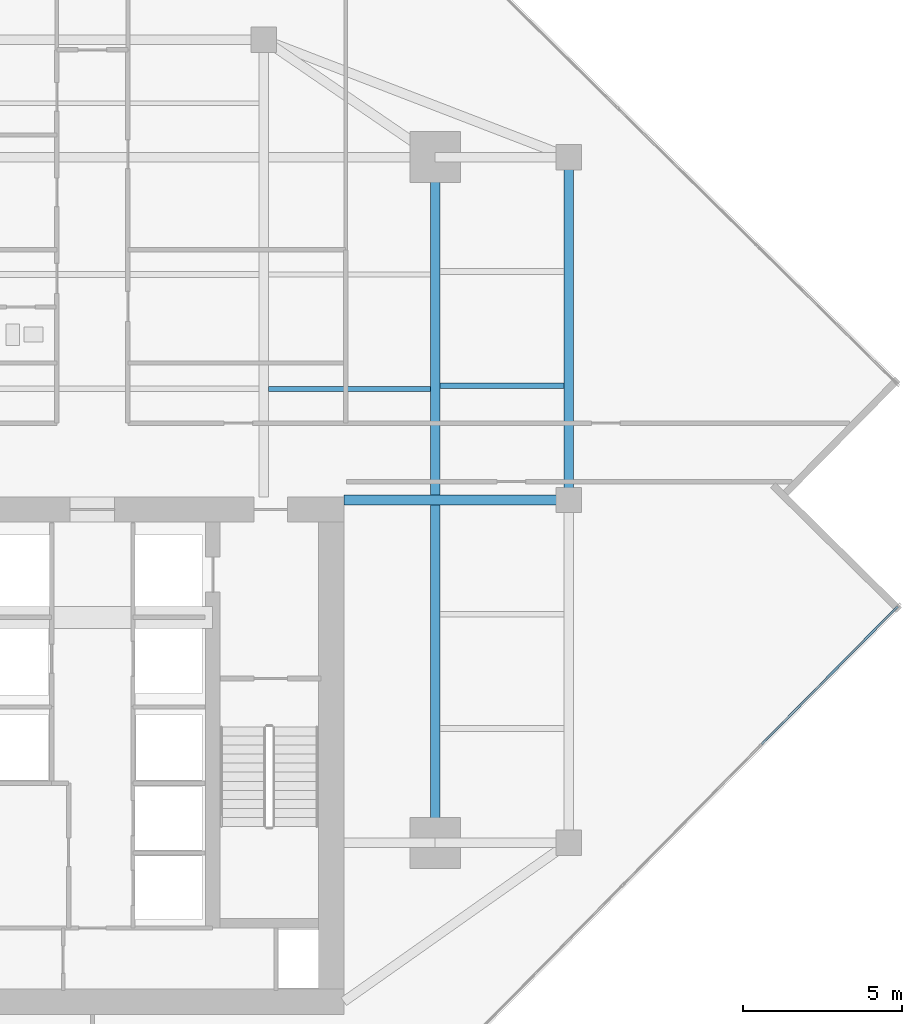
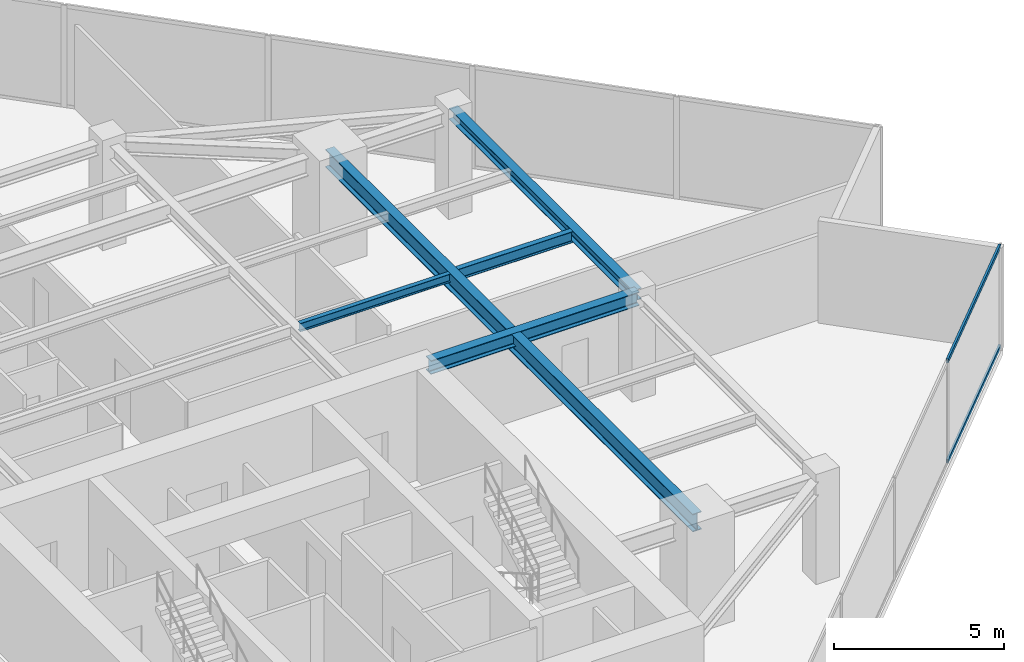
# One storey, part 11 of 24: 5 beams, 2 members, 1 element without a shape of its own.
"""IFC4 building model written with IfcOpenShell, lengths in metres."""

from ifc_helpers import new_model, si_unit, direction, frame, origin, origin_2d, place, context, subcontext, project, spatial, hollow_rectangle, i_section, extrude, source, transform, mapped, material, material_profile, profile_set, type_object, type_shapes, element, aggregate, save


model = new_model("IFC4")

# Units and contexts
model_context = context("Model", 3, precision=1e-05, world=origin(), true_north=direction((0.0, 1.0)))
body_context = subcontext(model_context, "Body", "Model", "MODEL_VIEW")
ifc_project = project(units=[si_unit("LENGTHUNIT", "METRE"), si_unit("AREAUNIT", "SQUARE_METRE"), si_unit("VOLUMEUNIT", "CUBIC_METRE"), si_unit("PLANEANGLEUNIT", "RADIAN"), si_unit("MASSUNIT", "GRAM", prefix="KILO")], contexts=[model_context])

# Site, building, storey
site_placement = place(None, origin())
site = spatial("IfcSite", under=ifc_project, at=site_placement, CompositionType="ELEMENT")
building_placement = place(site_placement, origin())
building = spatial("IfcBuilding", under=site, at=building_placement, Name="Krantzveldt Concourse Tower", CompositionType="ELEMENT")
storey_placement = place(building_placement, frame((0.0, 0.0, 231.0)))
storey = spatial("IfcBuildingStorey", under=building, at=storey_placement, Name="L56", CompositionType="ELEMENT", Elevation=231.0)

# Beams
ifc_material_1 = material(Name="Steel S355JR", Category="steel")
ifc_material_profile_1 = material_profile(ifc_material_1, i_section(OverallWidth=0.300048828125, OverallDepth=0.639892578125, WebThickness=0.013427734375, FlangeThickness=0.02587890625, FilletRadius=0.027099609375, at=origin_2d()), Name="Steel S355JR", Category="steel")
ifc_profile_set_1 = profile_set([ifc_material_profile_1], Name="Steel S355JR - HEA 650")
beam_type_1 = type_object("IfcBeamType", Name="BM-B-HEA650", PredefinedType="BEAM", material=ifc_profile_set_1)
shared_shape_1 = source(origin(), body_context, "Body", "SweptSolid", [
    extrude(i_section(OverallWidth=0.300048828125, OverallDepth=0.639892578125, WebThickness=0.013427734375, FlangeThickness=0.02587890625, FilletRadius=0.027099609375, at=origin_2d()), origin(), (0.0, 0.0, 1.0), 21.60009765625),
])
type_shapes(beam_type_1, [shared_shape_1])
beam_1_placement = place(storey_placement, frame((46.800048828125, 15.89990234375, 3.35009765625), z_axis=(0.0, 1.0, 0.0), x_axis=(-1.0, 0.0, 0.0)))
element("IfcBeam", 1, at=beam_1_placement, inside=storey, type_object=beam_type_1, Name="L56 Tower Girder BG-ME", PredefinedType="BEAM", context=body_context, shape_type="MappedRepresentation", body=[
    mapped(shared_shape_1, transform((0.0, 0.0, 0.0), x_axis=(1.0, 0.0, 0.0), y_axis=(0.0, 1.0, 0.0), z_axis=(0.0, 0.0, 1.0), scale=1.0)),
])
ifc_material_profile_2 = material_profile(ifc_material_1, i_section(OverallWidth=0.300048828125, OverallDepth=0.389892578125, WebThickness=0.010986328125, FlangeThickness=0.01904296875, FilletRadius=0.027099609375, at=origin_2d()), Name="Steel S355JR", Category="steel")
ifc_profile_set_2 = profile_set([ifc_material_profile_2], Name="Steel S355JR - HEA 400")
beam_type_2 = type_object("IfcBeamType", Name="BM-SP-HEA400", PredefinedType="SPANDREL", material=ifc_profile_set_2)
shared_shape_2 = source(origin(), body_context, "Body", "SweptSolid", [
    extrude(i_section(OverallWidth=0.300048828125, OverallDepth=0.389892578125, WebThickness=0.010986328125, FlangeThickness=0.01904296875, FilletRadius=0.027099609375, at=origin_2d()), origin(), (0.0, 0.0, 1.0), 10.800048828125),
])
type_shapes(beam_type_2, [shared_shape_2])
beam_2_placement = place(storey_placement, frame((51.0, 37.5, 3.47509765625), z_axis=(0.0, -1.0, 0.0), x_axis=(1.0, 0.0, 0.0)))
element("IfcBeam", 2, at=beam_2_placement, inside=storey, type_object=beam_type_2, Name="L56 Tower Girder SP-R06", PredefinedType="SPANDREL", context=body_context, shape_type="MappedRepresentation", body=[
    mapped(shared_shape_2, transform((0.0, 0.0, 0.0), x_axis=(1.0, 0.0, 0.0), y_axis=(0.0, 1.0, 0.0), z_axis=(0.0, 0.0, 1.0), scale=1.0)),
])
ifc_material_profile_3 = material_profile(ifc_material_1, i_section(OverallWidth=0.300048828125, OverallDepth=0.489990234375, WebThickness=0.011962890625, FlangeThickness=0.02294921875, FilletRadius=0.027099609375, at=origin_2d()), Name="Steel S355JR", Category="steel")
ifc_profile_set_3 = profile_set([ifc_material_profile_3], Name="Steel S355JR - HEA 500")
beam_type_3 = type_object("IfcBeamType", Name="BM-B-HEA500", PredefinedType="BEAM", material=ifc_profile_set_3)
shared_shape_3 = source(origin(), body_context, "Body", "SweptSolid", [
    extrude(i_section(OverallWidth=0.300048828125, OverallDepth=0.489990234375, WebThickness=0.011962890625, FlangeThickness=0.02294921875, FilletRadius=0.027099609375, at=origin_2d()), origin(), (0.0, 0.0, 1.0), 7.080078125),
])
type_shapes(beam_type_3, [shared_shape_3])
beam_3_placement = place(storey_placement, frame((43.919921875, 26.699951171875, 3.425048828125), z_axis=(1.0, 0.0, 0.0), x_axis=(0.0, 1.0, 0.0)))
element("IfcBeam", 3, at=beam_3_placement, inside=storey, type_object=beam_type_3, Name="L56 Tower Girder BG-CE2", PredefinedType="BEAM", context=body_context, shape_type="MappedRepresentation", body=[
    mapped(shared_shape_3, transform((0.0, 0.0, 0.0), x_axis=(1.0, 0.0, 0.0), y_axis=(0.0, 1.0, 0.0), z_axis=(0.0, 0.0, 1.0), scale=1.0)),
])
ifc_material_profile_4 = material_profile(ifc_material_1, i_section(OverallWidth=0.14990234375, OverallDepth=0.300048828125, WebThickness=0.007080078125, FlangeThickness=0.0107421875, FilletRadius=0.014892578125, at=origin_2d()), Name="Steel S355JR", Category="steel")
ifc_profile_set_4 = profile_set([ifc_material_profile_4], Name="Steel S355JR - IPE 300")
beam_type_4 = type_object("IfcBeamType", Name="BM-J-IPE300", PredefinedType="JOIST", material=ifc_profile_set_4)
shared_shape_4 = source(origin(), body_context, "Body", "SweptSolid", [
    extrude(i_section(OverallWidth=0.14990234375, OverallDepth=0.300048828125, WebThickness=0.007080078125, FlangeThickness=0.0107421875, FilletRadius=0.014892578125, at=origin_2d()), origin(), (0.0, 0.0, 1.0), 5.099853515625),
])
type_shapes(beam_type_4, [shared_shape_4])
beam_4_placement = place(storey_placement, frame((41.550048828125, 30.199951171875, 3.52001953125), z_axis=(1.0, 0.0, 0.0), x_axis=(0.0, 1.0, 0.0)))
element("IfcBeam", 4, at=beam_4_placement, inside=storey, type_object=beam_type_4, Name="L56 Secondary Floor Joist JN-E1", PredefinedType="JOIST", context=body_context, shape_type="MappedRepresentation", body=[
    mapped(shared_shape_4, transform((0.0, 0.0, 0.0), x_axis=(1.0, 0.0, 0.0), y_axis=(0.0, 1.0, 0.0), z_axis=(0.0, 0.0, 1.0), scale=1.0)),
])
ifc_material_profile_5 = material_profile(ifc_material_1, i_section(OverallWidth=0.179931640625, OverallDepth=0.39990234375, WebThickness=0.008544921875, FlangeThickness=0.013427734375, FilletRadius=0.02099609375, at=origin_2d()), Name="Steel S355JR", Category="steel")
ifc_profile_set_5 = profile_set([ifc_material_profile_5], Name="Steel S355JR - IPE 400")
beam_type_5 = type_object("IfcBeamType", Name="BM-J-IPE400", PredefinedType="JOIST", material=ifc_profile_set_5)
shared_shape_5 = source(origin(), body_context, "Body", "SweptSolid", [
    extrude(i_section(OverallWidth=0.179931640625, OverallDepth=0.39990234375, WebThickness=0.008544921875, FlangeThickness=0.013427734375, FilletRadius=0.02099609375, at=origin_2d()), origin(), (0.0, 0.0, 1.0), 3.900146484375),
])
type_shapes(beam_type_5, [shared_shape_5])
beam_5_placement = place(storey_placement, frame((46.949951171875, 30.300048828125, 3.469970703125), z_axis=(1.0, 0.0, 0.0), x_axis=(0.0, 1.0, 0.0)))
element("IfcBeam", 5, at=beam_5_placement, inside=storey, type_object=beam_type_5, Name="L56 Secondary Floor Joist JE-3", PredefinedType="JOIST", context=body_context, shape_type="MappedRepresentation", body=[
    mapped(shared_shape_5, transform((0.0, 0.0, 0.0), x_axis=(1.0, 0.0, 0.0), y_axis=(0.0, 1.0, 0.0), z_axis=(0.0, 0.0, 1.0), scale=1.0)),
])

# Curtain wall, members
ifc_material_2 = material(Name="Anodised aluminium 6063-T6", Category="aluminium")
curtain_wall_type = type_object("IfcCurtainWallType", Name="CW3", PredefinedType="USERDEFINED", material=ifc_material_2)
curtain_wall_placement = place(storey_placement, origin())
curtain_wall = element("IfcCurtainWall", 6, at=curtain_wall_placement, inside=storey, type_object=curtain_wall_type, Name="CW-L56-F07", ObjectType="UNITISED CURTAIN WALL", PredefinedType="USERDEFINED")
ifc_material_profile_6 = material_profile(ifc_material_2, hollow_rectangle(XDim=0.070068359375, YDim=0.139892578125, WallThickness=0.0048828125, at=origin_2d()), Name="Anodised aluminium 6063-T6", Category="aluminium")
ifc_profile_set_6 = profile_set([ifc_material_profile_6], Name="Anodised aluminium 6063-T6 - ALU-TRAN 140x70x5")
member_type = type_object("IfcMemberType", Name="CW-TRN-150", PredefinedType="USERDEFINED", material=ifc_profile_set_6)
shared_shape_6 = source(origin(), body_context, "Body", "SweptSolid", [
    extrude(hollow_rectangle(XDim=0.070068359375, YDim=0.139892578125, WallThickness=0.0048828125, at=origin_2d()), origin(), (0.0, 0.0, 1.0), 6.094970703125),
])
type_shapes(member_type, [shared_shape_6])
member_1_placement = place(storey_placement, frame((57.083740234375, 19.006591796875, 0.034912109375), z_axis=(0.702465157511, 0.711718134154, 0.0), x_axis=(-0.711718134154, 0.702465157511, 0.0)))
member_1 = element("IfcMember", 7, at=member_1_placement, type_object=member_type, Name="CW-Z34 transom 5.1", ObjectType="TRANSOM", PredefinedType="USERDEFINED", context=body_context, shape_type="MappedRepresentation", body=[
    mapped(shared_shape_6, transform((0.0, 0.0, 0.0), x_axis=(1.0, 0.0, 0.0), y_axis=(0.0, 1.0, 0.0), z_axis=(0.0, 0.0, 1.0), scale=1.0)),
])
member_2_placement = place(storey_placement, frame((57.083740234375, 19.006591796875, 3.635009765625), z_axis=(0.702465157511, 0.711718134154, 0.0), x_axis=(-0.711718134154, 0.702465157511, 0.0)))
member_2 = element("IfcMember", 8, at=member_2_placement, type_object=member_type, Name="CW-Z34 transom 5.2", ObjectType="TRANSOM", PredefinedType="USERDEFINED", context=body_context, shape_type="MappedRepresentation", body=[
    mapped(shared_shape_6, transform((0.0, 0.0, 0.0), x_axis=(1.0, 0.0, 0.0), y_axis=(0.0, 1.0, 0.0), z_axis=(0.0, 0.0, 1.0), scale=1.0)),
])
aggregate(curtain_wall, [member_1, member_2])

save(model, "model.ifc")
